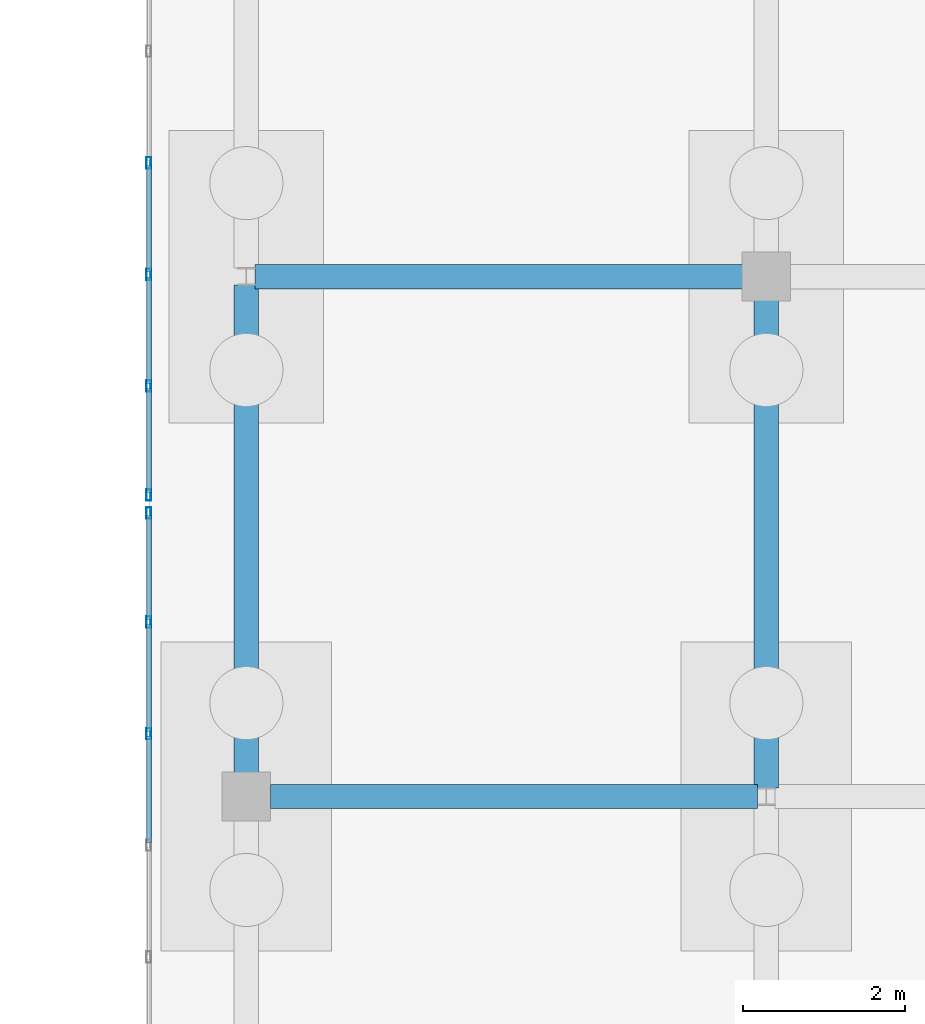
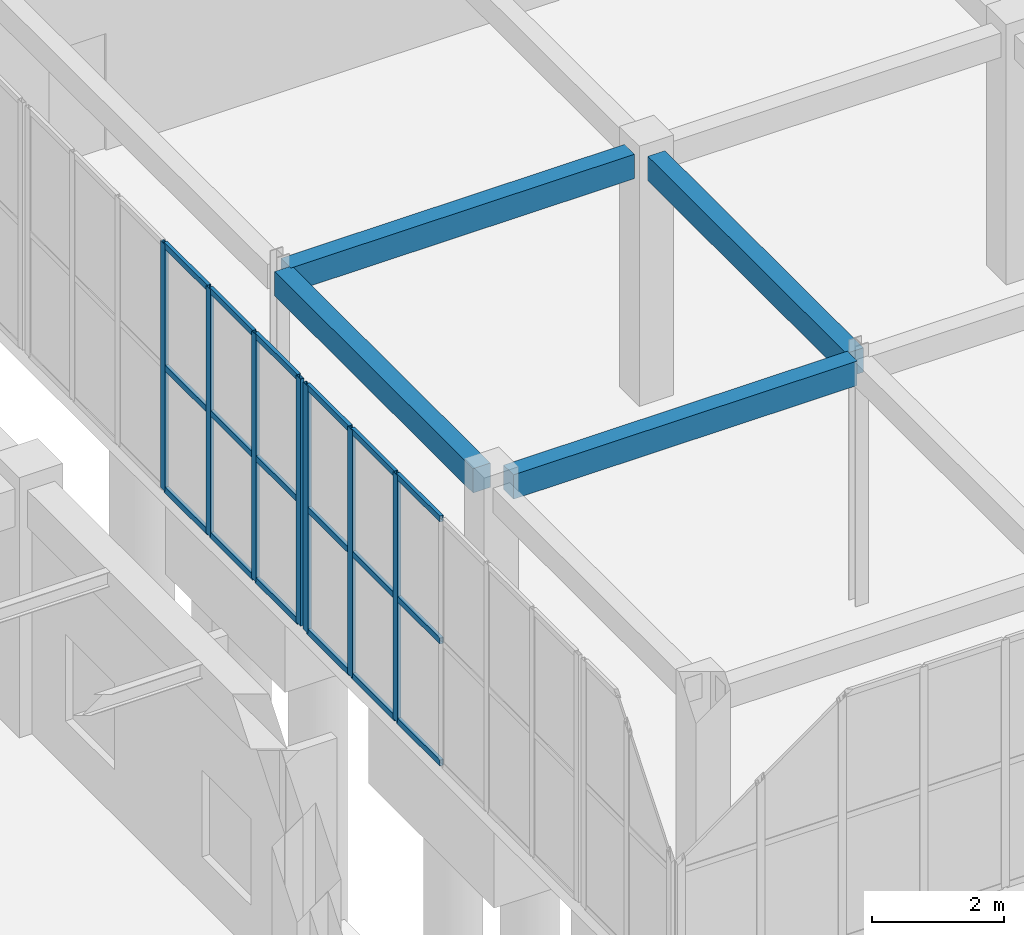
# One storey, part 52 of 192: 25 members, 4 beams, 2 elements without a shape of their own.
"""IFC4 building model written with IfcOpenShell, lengths in metres."""

from ifc_helpers import new_model, si_unit, direction, frame, origin, origin_2d, place, context, subcontext, project, spatial, rectangle, hollow_rectangle, extrude, material, layer, layer_set, material_profile, profile_set, type_object, element, aggregate, save


model = new_model("IFC4")

# Units and contexts
model_context = context("Model", 3, precision=1e-05, world=origin(), true_north=direction((0.0, 1.0)))
body_context = subcontext(model_context, "Body", "Model", "MODEL_VIEW")
ifc_project = project(units=[si_unit("LENGTHUNIT", "METRE"), si_unit("AREAUNIT", "SQUARE_METRE"), si_unit("VOLUMEUNIT", "CUBIC_METRE"), si_unit("PLANEANGLEUNIT", "RADIAN"), si_unit("MASSUNIT", "GRAM", prefix="KILO")], contexts=[model_context])

# Site, building, storey
site_placement = place(None, origin())
site = spatial("IfcSite", under=ifc_project, at=site_placement, CompositionType="ELEMENT")
building_placement = place(site_placement, origin())
building = spatial("IfcBuilding", under=site, at=building_placement, Name="Trelvath General Hospital", CompositionType="ELEMENT")
storey_placement = place(building_placement, origin())
storey = spatial("IfcBuildingStorey", under=building, at=storey_placement, Name="L00", CompositionType="ELEMENT", Elevation=0.0)

# Beams
ifc_material_1 = material(Name="Concrete C35/45", Category="concrete")
ifc_material_profile_1 = material_profile(ifc_material_1, rectangle(XDim=0.300048828125, YDim=0.449951171875, at=origin_2d()), Name="RCB300x450")
ifc_profile_set_1 = profile_set([ifc_material_profile_1], Name="Concrete C35/45")
beam_type = type_object("IfcBeamType", Name="Beam RC300x450", PredefinedType="BEAM", material=ifc_profile_set_1)
for number, where, z_axis, x_axis, name in (
    (1, (48.2958984375, 38.39990234375, 4.3349609375), (1.0, 0.0, 0.0), (0.0, 1.0, 0.0), "Cube Interior Ring Beam CUBE-W-T0 L00"),
    (2, (48.10595703125, 44.800048828125, 4.3349609375), (1.0, 0.0, 0.0), (0.0, 1.0, 0.0), "Cube Interior Ring Beam CUBE-W-T0 L00"),
    (3, (48.0, 38.696044921875, 4.3349609375), (0.0, 1.0, 0.0), (-1.0, 0.0, 0.0), "Cube Interior Ring Beam CUBE-W-T0 L00"),
):
    element("IfcBeam", number, at=place(storey_placement, frame(where, z_axis=z_axis, x_axis=x_axis)), inside=storey, type_object=beam_type, Name=name, PredefinedType="BEAM", context=body_context, shape_type="SweptSolid", body=[
        extrude(rectangle(XDim=0.300048828125, YDim=0.449951171875, at=origin_2d()), origin(), (0.0, 0.0, 1.0), 5.998046875),
    ])
beam_placement = place(storey_placement, frame((54.39990234375, 38.506103515625, 4.3349609375), z_axis=(0.0, 1.0, 0.0), x_axis=(-1.0, 0.0, 0.0)))
element("IfcBeam", 4, at=beam_placement, inside=storey, type_object=beam_type, Name="Cube Interior Ring Beam CUBE-W-T0 L00", PredefinedType="BEAM", context=body_context, shape_type="SweptSolid", body=[
    extrude(rectangle(XDim=0.300048828125, YDim=0.449951171875, at=origin_2d()), origin(), (0.0, 0.0, 1.0), 5.997802734375),
])

# Curtain wall, members
ifc_material_2 = material(Name="Anodised aluminium and low-E glass", Category="aluminium")
ifc_layer = layer(ifc_material_2, 0.139892578125)
ifc_layer_set = layer_set([ifc_layer], Name="Anodised aluminium and low-E glass")
curtain_wall_type = type_object("IfcCurtainWallType", Name="CW CrystalCube 824 456 14", PredefinedType="USERDEFINED", material=ifc_layer_set)
curtain_wall_1_placement = place(storey_placement, origin())
curtain_wall_1 = element("IfcCurtainWall", 5, at=curtain_wall_1_placement, inside=storey, type_object=curtain_wall_type, Name="Crystal Cube Curtain Wall CUBE-W-T0 W2 L00", ObjectType="Unitised Glazed Curtain Wall", PredefinedType="USERDEFINED")
ifc_material_3 = material(Name="Anodised aluminium", Category="aluminium")
ifc_material_profile_2 = material_profile(ifc_material_3, hollow_rectangle(XDim=0.06005859375, YDim=0.139892578125, WallThickness=0.00390625, at=origin_2d()), Name="RHS60x140x4")
ifc_profile_set_2 = profile_set([ifc_material_profile_2], Name="Anodised aluminium")
member_type_1 = type_object("IfcMemberType", Name="CurtainMullion 60x140", PredefinedType="MULLION", material=ifc_profile_set_2)
member_1_placement = place(storey_placement, frame((46.800048828125, 39.17333984375, 0.0), z_axis=(0.0, 0.0, 1.0), x_axis=(-1.0, 0.0, 0.0)))
member_1 = element("IfcMember", 6, at=member_1_placement, type_object=member_type_1, Name="CW-096 mullion 5", PredefinedType="MULLION", context=body_context, shape_type="SweptSolid", body=[
    extrude(hollow_rectangle(XDim=0.06005859375, YDim=0.139892578125, WallThickness=0.00390625, at=origin_2d()), origin(), (0.0, 0.0, 1.0), 4.56005859375),
])
member_2_placement = place(storey_placement, frame((46.800048828125, 40.546630859375, 0.0), z_axis=(0.0, 0.0, 1.0), x_axis=(-1.0, 0.0, 0.0)))
member_2 = element("IfcMember", 7, at=member_2_placement, type_object=member_type_1, Name="CW-096 mullion 6", PredefinedType="MULLION", context=body_context, shape_type="SweptSolid", body=[
    extrude(hollow_rectangle(XDim=0.06005859375, YDim=0.139892578125, WallThickness=0.00390625, at=origin_2d()), origin(), (0.0, 0.0, 1.0), 4.56005859375),
])
member_3_placement = place(storey_placement, frame((46.800048828125, 41.889892578125, 0.0), z_axis=(0.0, 0.0, 1.0), x_axis=(-1.0, 0.0, 0.0)))
member_3 = element("IfcMember", 8, at=member_3_placement, type_object=member_type_1, Name="CW-096 mullion 7", PredefinedType="MULLION", context=body_context, shape_type="SweptSolid", body=[
    extrude(hollow_rectangle(XDim=0.06005859375, YDim=0.139892578125, WallThickness=0.00390625, at=origin_2d()), origin(), (0.0, 0.0, 1.0), 4.56005859375),
])

curtain_wall_2_placement = place(storey_placement, origin())
curtain_wall_2 = element("IfcCurtainWall", 9, at=curtain_wall_2_placement, inside=storey, type_object=curtain_wall_type, Name="Crystal Cube Curtain Wall CUBE-W-T0 W3 L00", ObjectType="Unitised Glazed Curtain Wall", PredefinedType="USERDEFINED")
member_4_placement = place(storey_placement, frame((46.800048828125, 42.110107421875, 0.0), z_axis=(0.0, 0.0, 1.0), x_axis=(-1.0, 0.0, 0.0)))
member_4 = element("IfcMember", 10, at=member_4_placement, type_object=member_type_1, Name="CW-098 mullion 1", PredefinedType="MULLION", context=body_context, shape_type="SweptSolid", body=[
    extrude(hollow_rectangle(XDim=0.06005859375, YDim=0.139892578125, WallThickness=0.00390625, at=origin_2d()), origin(), (0.0, 0.0, 1.0), 4.56005859375),
])
member_5_placement = place(storey_placement, frame((46.800048828125, 43.453369140625, 0.0), z_axis=(0.0, 0.0, 1.0), x_axis=(-1.0, 0.0, 0.0)))
member_5 = element("IfcMember", 11, at=member_5_placement, type_object=member_type_1, Name="CW-098 mullion 2", PredefinedType="MULLION", context=body_context, shape_type="SweptSolid", body=[
    extrude(hollow_rectangle(XDim=0.06005859375, YDim=0.139892578125, WallThickness=0.00390625, at=origin_2d()), origin(), (0.0, 0.0, 1.0), 4.56005859375),
])
member_6_placement = place(storey_placement, frame((46.800048828125, 44.82666015625, 0.0), z_axis=(0.0, 0.0, 1.0), x_axis=(-1.0, 0.0, 0.0)))
member_6 = element("IfcMember", 12, at=member_6_placement, type_object=member_type_1, Name="CW-098 mullion 3", PredefinedType="MULLION", context=body_context, shape_type="SweptSolid", body=[
    extrude(hollow_rectangle(XDim=0.06005859375, YDim=0.139892578125, WallThickness=0.00390625, at=origin_2d()), origin(), (0.0, 0.0, 1.0), 4.56005859375),
])
member_7_placement = place(storey_placement, frame((46.800048828125, 46.199951171875, 0.0), z_axis=(0.0, 0.0, 1.0), x_axis=(-1.0, 0.0, 0.0)))
member_7 = element("IfcMember", 13, at=member_7_placement, type_object=member_type_1, Name="CW-098 mullion 4", PredefinedType="MULLION", context=body_context, shape_type="SweptSolid", body=[
    extrude(hollow_rectangle(XDim=0.06005859375, YDim=0.139892578125, WallThickness=0.00390625, at=origin_2d()), origin(), (0.0, 0.0, 1.0), 4.56005859375),
])

# Member
ifc_material_4 = material(Name="Anodised aluminium", Category="aluminium")
ifc_material_profile_3 = material_profile(ifc_material_4, hollow_rectangle(XDim=0.06005859375, YDim=0.110107421875, WallThickness=0.00390625, at=origin_2d()), Name="RHS60x110x4")
ifc_profile_set_3 = profile_set([ifc_material_profile_3], Name="Anodised aluminium")
member_type_2 = type_object("IfcMemberType", Name="CurtainTransom 60x110", PredefinedType="USERDEFINED", material=ifc_profile_set_3)
member_8_placement = place(storey_placement, frame((46.800048828125, 37.830078125, 0.030029296875), z_axis=(0.0, 1.0, 0.0), x_axis=(-1.0, 0.0, 0.0)))
member_8 = element("IfcMember", 14, at=member_8_placement, type_object=member_type_2, Name="CW-096 transom 4.1", ObjectType="TRANSOM", PredefinedType="USERDEFINED", context=body_context, shape_type="SweptSolid", body=[
    extrude(hollow_rectangle(XDim=0.06005859375, YDim=0.110107421875, WallThickness=0.00390625, at=origin_2d()), origin(), (0.0, 0.0, 1.0), 1.313232421875),
])

member_9_placement = place(storey_placement, frame((46.800048828125, 37.830078125, 2.280029296875), z_axis=(0.0, 1.0, 0.0), x_axis=(-1.0, 0.0, 0.0)))
member_9 = element("IfcMember", 15, at=member_9_placement, type_object=member_type_2, Name="CW-096 transom 4.2", ObjectType="TRANSOM", PredefinedType="USERDEFINED", context=body_context, shape_type="SweptSolid", body=[
    extrude(hollow_rectangle(XDim=0.06005859375, YDim=0.110107421875, WallThickness=0.00390625, at=origin_2d()), origin(), (0.0, 0.0, 1.0), 1.313232421875),
])

member_10_placement = place(storey_placement, frame((46.800048828125, 37.830078125, 4.530029296875), z_axis=(0.0, 1.0, 0.0), x_axis=(-1.0, 0.0, 0.0)))
member_10 = element("IfcMember", 16, at=member_10_placement, type_object=member_type_2, Name="CW-096 transom 4.3", ObjectType="TRANSOM", PredefinedType="USERDEFINED", context=body_context, shape_type="SweptSolid", body=[
    extrude(hollow_rectangle(XDim=0.06005859375, YDim=0.110107421875, WallThickness=0.00390625, at=origin_2d()), origin(), (0.0, 0.0, 1.0), 1.313232421875),
])

member_11_placement = place(storey_placement, frame((46.800048828125, 39.203369140625, 0.030029296875), z_axis=(0.0, 1.0, 0.0), x_axis=(-1.0, 0.0, 0.0)))
member_11 = element("IfcMember", 17, at=member_11_placement, type_object=member_type_2, Name="CW-096 transom 5.1", ObjectType="TRANSOM", PredefinedType="USERDEFINED", context=body_context, shape_type="SweptSolid", body=[
    extrude(hollow_rectangle(XDim=0.06005859375, YDim=0.110107421875, WallThickness=0.00390625, at=origin_2d()), origin(), (0.0, 0.0, 1.0), 1.313232421875),
])

member_12_placement = place(storey_placement, frame((46.800048828125, 39.203369140625, 2.280029296875), z_axis=(0.0, 1.0, 0.0), x_axis=(-1.0, 0.0, 0.0)))
member_12 = element("IfcMember", 18, at=member_12_placement, type_object=member_type_2, Name="CW-096 transom 5.2", ObjectType="TRANSOM", PredefinedType="USERDEFINED", context=body_context, shape_type="SweptSolid", body=[
    extrude(hollow_rectangle(XDim=0.06005859375, YDim=0.110107421875, WallThickness=0.00390625, at=origin_2d()), origin(), (0.0, 0.0, 1.0), 1.313232421875),
])

member_13_placement = place(storey_placement, frame((46.800048828125, 39.203369140625, 4.530029296875), z_axis=(0.0, 1.0, 0.0), x_axis=(-1.0, 0.0, 0.0)))
member_13 = element("IfcMember", 19, at=member_13_placement, type_object=member_type_2, Name="CW-096 transom 5.3", ObjectType="TRANSOM", PredefinedType="USERDEFINED", context=body_context, shape_type="SweptSolid", body=[
    extrude(hollow_rectangle(XDim=0.06005859375, YDim=0.110107421875, WallThickness=0.00390625, at=origin_2d()), origin(), (0.0, 0.0, 1.0), 1.313232421875),
])

member_14_placement = place(storey_placement, frame((46.800048828125, 40.57666015625, 0.030029296875), z_axis=(0.0, 1.0, 0.0), x_axis=(-1.0, 0.0, 0.0)))
member_14 = element("IfcMember", 20, at=member_14_placement, type_object=member_type_2, Name="CW-096 transom 6.1", ObjectType="TRANSOM", PredefinedType="USERDEFINED", context=body_context, shape_type="SweptSolid", body=[
    extrude(hollow_rectangle(XDim=0.06005859375, YDim=0.110107421875, WallThickness=0.00390625, at=origin_2d()), origin(), (0.0, 0.0, 1.0), 1.283447265625),
])

member_15_placement = place(storey_placement, frame((46.800048828125, 40.57666015625, 2.280029296875), z_axis=(0.0, 1.0, 0.0), x_axis=(-1.0, 0.0, 0.0)))
member_15 = element("IfcMember", 21, at=member_15_placement, type_object=member_type_2, Name="CW-096 transom 6.2", ObjectType="TRANSOM", PredefinedType="USERDEFINED", context=body_context, shape_type="SweptSolid", body=[
    extrude(hollow_rectangle(XDim=0.06005859375, YDim=0.110107421875, WallThickness=0.00390625, at=origin_2d()), origin(), (0.0, 0.0, 1.0), 1.283447265625),
])

member_16_placement = place(storey_placement, frame((46.800048828125, 40.57666015625, 4.530029296875), z_axis=(0.0, 1.0, 0.0), x_axis=(-1.0, 0.0, 0.0)))
member_16 = element("IfcMember", 22, at=member_16_placement, type_object=member_type_2, Name="CW-096 transom 6.3", ObjectType="TRANSOM", PredefinedType="USERDEFINED", context=body_context, shape_type="SweptSolid", body=[
    extrude(hollow_rectangle(XDim=0.06005859375, YDim=0.110107421875, WallThickness=0.00390625, at=origin_2d()), origin(), (0.0, 0.0, 1.0), 1.283447265625),
])

aggregate(curtain_wall_1, [member_1, member_2, member_3, member_8, member_9, member_10, member_11, member_12, member_13, member_14, member_15, member_16])

member_17_placement = place(storey_placement, frame((46.800048828125, 42.139892578125, 0.030029296875), z_axis=(0.0, 1.0, 0.0), x_axis=(-1.0, 0.0, 0.0)))
member_17 = element("IfcMember", 23, at=member_17_placement, type_object=member_type_2, Name="CW-098 transom 1.1", ObjectType="TRANSOM", PredefinedType="USERDEFINED", context=body_context, shape_type="SweptSolid", body=[
    extrude(hollow_rectangle(XDim=0.06005859375, YDim=0.110107421875, WallThickness=0.00390625, at=origin_2d()), origin(), (0.0, 0.0, 1.0), 1.283447265625),
])

member_18_placement = place(storey_placement, frame((46.800048828125, 42.139892578125, 2.280029296875), z_axis=(0.0, 1.0, 0.0), x_axis=(-1.0, 0.0, 0.0)))
member_18 = element("IfcMember", 24, at=member_18_placement, type_object=member_type_2, Name="CW-098 transom 1.2", ObjectType="TRANSOM", PredefinedType="USERDEFINED", context=body_context, shape_type="SweptSolid", body=[
    extrude(hollow_rectangle(XDim=0.06005859375, YDim=0.110107421875, WallThickness=0.00390625, at=origin_2d()), origin(), (0.0, 0.0, 1.0), 1.283447265625),
])

member_19_placement = place(storey_placement, frame((46.800048828125, 42.139892578125, 4.530029296875), z_axis=(0.0, 1.0, 0.0), x_axis=(-1.0, 0.0, 0.0)))
member_19 = element("IfcMember", 25, at=member_19_placement, type_object=member_type_2, Name="CW-098 transom 1.3", ObjectType="TRANSOM", PredefinedType="USERDEFINED", context=body_context, shape_type="SweptSolid", body=[
    extrude(hollow_rectangle(XDim=0.06005859375, YDim=0.110107421875, WallThickness=0.00390625, at=origin_2d()), origin(), (0.0, 0.0, 1.0), 1.283447265625),
])

member_20_placement = place(storey_placement, frame((46.800048828125, 43.4833984375, 0.030029296875), z_axis=(0.0, 1.0, 0.0), x_axis=(-1.0, 0.0, 0.0)))
member_20 = element("IfcMember", 26, at=member_20_placement, type_object=member_type_2, Name="CW-098 transom 2.1", ObjectType="TRANSOM", PredefinedType="USERDEFINED", context=body_context, shape_type="SweptSolid", body=[
    extrude(hollow_rectangle(XDim=0.06005859375, YDim=0.110107421875, WallThickness=0.00390625, at=origin_2d()), origin(), (0.0, 0.0, 1.0), 1.313232421875),
])

member_21_placement = place(storey_placement, frame((46.800048828125, 43.4833984375, 2.280029296875), z_axis=(0.0, 1.0, 0.0), x_axis=(-1.0, 0.0, 0.0)))
member_21 = element("IfcMember", 27, at=member_21_placement, type_object=member_type_2, Name="CW-098 transom 2.2", ObjectType="TRANSOM", PredefinedType="USERDEFINED", context=body_context, shape_type="SweptSolid", body=[
    extrude(hollow_rectangle(XDim=0.06005859375, YDim=0.110107421875, WallThickness=0.00390625, at=origin_2d()), origin(), (0.0, 0.0, 1.0), 1.313232421875),
])

member_22_placement = place(storey_placement, frame((46.800048828125, 43.4833984375, 4.530029296875), z_axis=(0.0, 1.0, 0.0), x_axis=(-1.0, 0.0, 0.0)))
member_22 = element("IfcMember", 28, at=member_22_placement, type_object=member_type_2, Name="CW-098 transom 2.3", ObjectType="TRANSOM", PredefinedType="USERDEFINED", context=body_context, shape_type="SweptSolid", body=[
    extrude(hollow_rectangle(XDim=0.06005859375, YDim=0.110107421875, WallThickness=0.00390625, at=origin_2d()), origin(), (0.0, 0.0, 1.0), 1.313232421875),
])

member_23_placement = place(storey_placement, frame((46.800048828125, 44.856689453125, 0.030029296875), z_axis=(0.0, 1.0, 0.0), x_axis=(-1.0, 0.0, 0.0)))
member_23 = element("IfcMember", 29, at=member_23_placement, type_object=member_type_2, Name="CW-098 transom 3.1", ObjectType="TRANSOM", PredefinedType="USERDEFINED", context=body_context, shape_type="SweptSolid", body=[
    extrude(hollow_rectangle(XDim=0.06005859375, YDim=0.110107421875, WallThickness=0.00390625, at=origin_2d()), origin(), (0.0, 0.0, 1.0), 1.313232421875),
])

member_24_placement = place(storey_placement, frame((46.800048828125, 44.856689453125, 2.280029296875), z_axis=(0.0, 1.0, 0.0), x_axis=(-1.0, 0.0, 0.0)))
member_24 = element("IfcMember", 30, at=member_24_placement, type_object=member_type_2, Name="CW-098 transom 3.2", ObjectType="TRANSOM", PredefinedType="USERDEFINED", context=body_context, shape_type="SweptSolid", body=[
    extrude(hollow_rectangle(XDim=0.06005859375, YDim=0.110107421875, WallThickness=0.00390625, at=origin_2d()), origin(), (0.0, 0.0, 1.0), 1.313232421875),
])

member_25_placement = place(storey_placement, frame((46.800048828125, 44.856689453125, 4.530029296875), z_axis=(0.0, 1.0, 0.0), x_axis=(-1.0, 0.0, 0.0)))
member_25 = element("IfcMember", 31, at=member_25_placement, type_object=member_type_2, Name="CW-098 transom 3.3", ObjectType="TRANSOM", PredefinedType="USERDEFINED", context=body_context, shape_type="SweptSolid", body=[
    extrude(hollow_rectangle(XDim=0.06005859375, YDim=0.110107421875, WallThickness=0.00390625, at=origin_2d()), origin(), (0.0, 0.0, 1.0), 1.313232421875),
])

aggregate(curtain_wall_2, [member_4, member_5, member_6, member_7, member_17, member_18, member_19, member_20, member_21, member_22, member_23, member_24, member_25])

save(model, "model.ifc")
